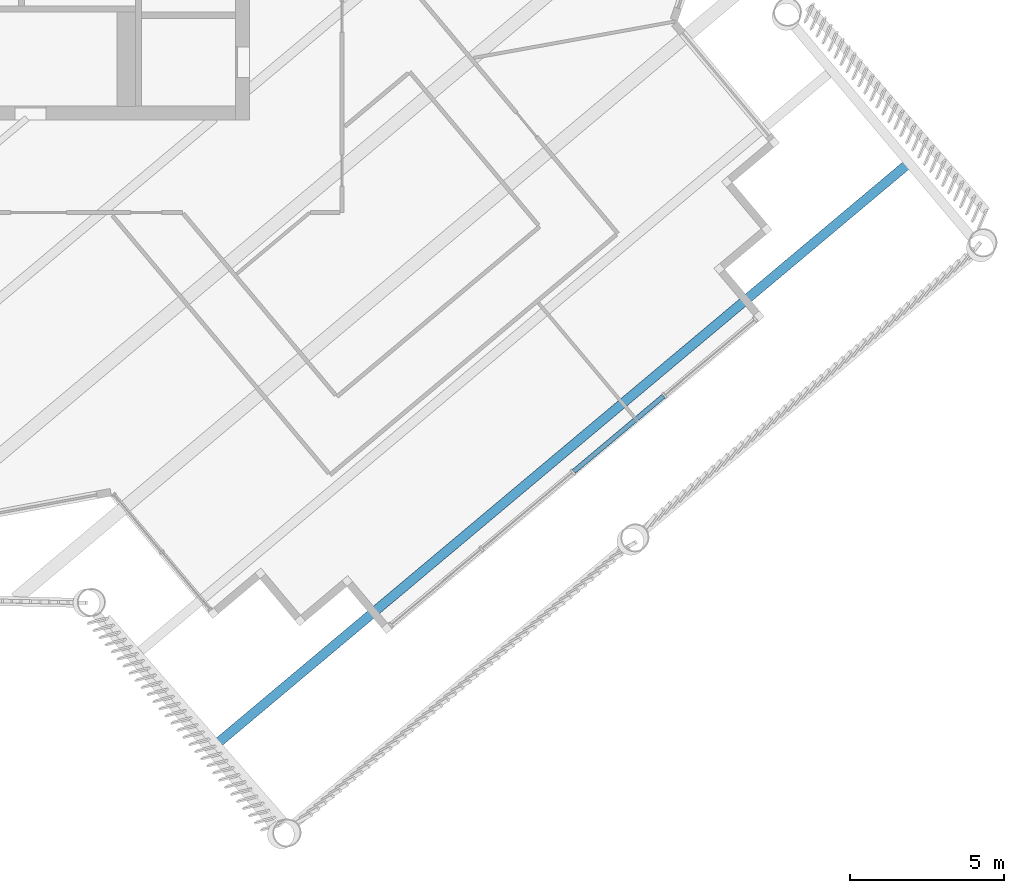
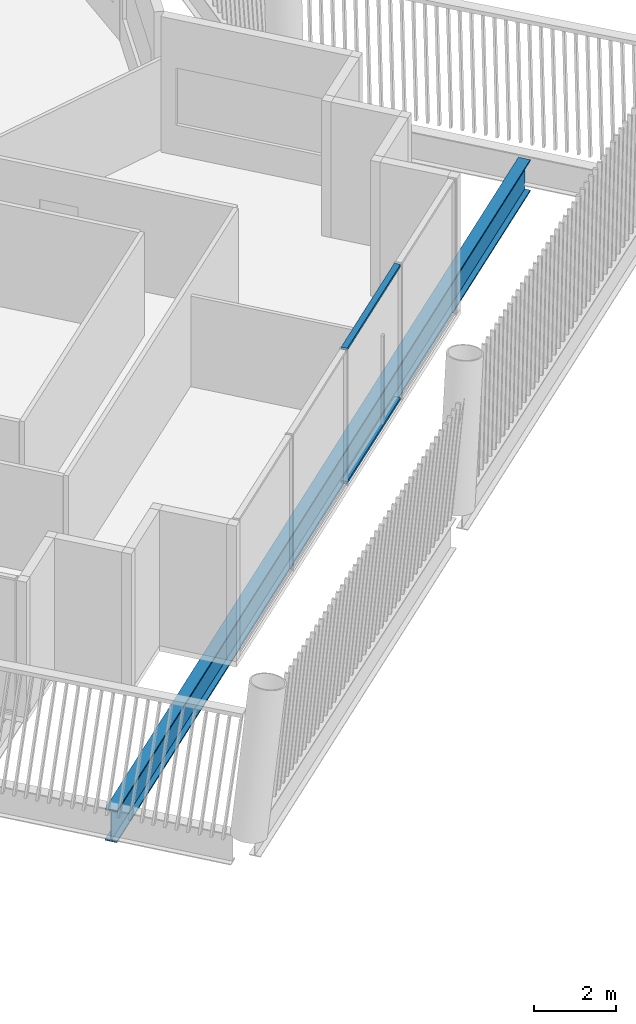
# One storey, part 17 of 31: 2 members, 1 beam, 1 element without a shape of its own.
"""IFC4 building model written with IfcOpenShell, lengths in metres."""

from ifc_helpers import new_model, si_unit, direction, frame, origin, origin_2d, place, context, subcontext, project, spatial, hollow_rectangle, i_section, extrude, material, layer, layer_set, material_profile, profile_set, type_object, element, aggregate, save


model = new_model("IFC4")

# Units and contexts
model_context = context("Model", 3, precision=1e-05, world=origin(), true_north=direction((0.0, 1.0)))
body_context = subcontext(model_context, "Body", "Model", "MODEL_VIEW")
ifc_project = project(units=[si_unit("LENGTHUNIT", "METRE"), si_unit("AREAUNIT", "SQUARE_METRE"), si_unit("VOLUMEUNIT", "CUBIC_METRE"), si_unit("PLANEANGLEUNIT", "RADIAN"), si_unit("MASSUNIT", "GRAM", prefix="KILO")], contexts=[model_context])

# Site, building, storey
site_placement = place(None, origin())
site = spatial("IfcSite", under=ifc_project, at=site_placement, CompositionType="ELEMENT")
building_placement = place(site_placement, origin())
building = spatial("IfcBuilding", under=site, at=building_placement, Name="Tarsis Ring Headquarters", CompositionType="ELEMENT")
storey_placement = place(building_placement, frame((0.0, 0.0, 390.199951171875)))
storey = spatial("IfcBuildingStorey", under=building, at=storey_placement, Name="L92", CompositionType="ELEMENT", Elevation=390.199951171875)

# Curtain wall, members
ifc_material_1 = material(Name="Aluminium curtain wall", Category="aluminium")
ifc_layer = layer(ifc_material_1, 0.199951171875)
ifc_layer_set = layer_set([ifc_layer], Name="Curtain wall executive tip")
curtain_wall_type = type_object("IfcCurtainWallType", Name="Curtain wall executive tip", PredefinedType="NOTDEFINED", material=ifc_layer_set)
curtain_wall_placement = place(storey_placement, origin())
curtain_wall = element("IfcCurtainWall", 1, at=curtain_wall_placement, inside=storey, type_object=curtain_wall_type, Name="Curtain wall L92-11", PredefinedType="NOTDEFINED")
ifc_material_2 = material(Name="Aluminium transom", Category="aluminium")
ifc_material_profile_1 = material_profile(ifc_material_2, hollow_rectangle(XDim=0.159912109375, YDim=0.070068359375, WallThickness=0.0048828125, at=origin_2d()), Name="RHS 160x70x5")
ifc_profile_set_1 = profile_set([ifc_material_profile_1], Name="Aluminium transom")
member_type = type_object("IfcMemberType", Name="Curtain wall transom executive tip RHS 160x70x5", PredefinedType="USERDEFINED", material=ifc_profile_set_1)
member_1_placement = place(storey_placement, frame((20.515625, -24.395263671875, 0.03515625), z_axis=(0.766044774752, 0.642787214462, 0.0), x_axis=(-0.642787214462, 0.766044774752, 0.0)))
member_1 = element("IfcMember", 2, at=member_1_placement, type_object=member_type, Name="CW-E transom 3.1", ObjectType="TRANSOM", PredefinedType="USERDEFINED", context=body_context, shape_type="SweptSolid", body=[
    extrude(hollow_rectangle(XDim=0.159912109375, YDim=0.070068359375, WallThickness=0.0048828125, at=origin_2d()), origin(), (0.0, 0.0, 1.0), 3.804931640625),
])
member_2_placement = place(storey_placement, frame((20.515625, -24.395263671875, 4.005126953125), z_axis=(0.766044774752, 0.642787214462, 0.0), x_axis=(-0.642787214462, 0.766044774752, 0.0)))
member_2 = element("IfcMember", 3, at=member_2_placement, type_object=member_type, Name="CW-E transom 3.2", ObjectType="TRANSOM", PredefinedType="USERDEFINED", context=body_context, shape_type="SweptSolid", body=[
    extrude(hollow_rectangle(XDim=0.159912109375, YDim=0.070068359375, WallThickness=0.0048828125, at=origin_2d()), origin(), (0.0, 0.0, 1.0), 3.804931640625),
])
aggregate(curtain_wall, [member_1, member_2])

# Beam
ifc_material_3 = material(Name="Structural steel S355", Category="steel")
ifc_material_profile_2 = material_profile(ifc_material_3, i_section(OverallWidth=0.309814453125, OverallDepth=0.949951171875, WebThickness=0.0244140625, FlangeThickness=0.0439453125, at=origin_2d()), Name="W36x256")
ifc_profile_set_2 = profile_set([ifc_material_profile_2], Name="Structural steel S355")
beam_type = type_object("IfcBeamType", Name="FB Floor beam W36x256", PredefinedType="JOIST", material=ifc_profile_set_2)
beam_placement = place(storey_placement, frame((8.757568359375, -33.380126953125, -0.635009765625), z_axis=(0.766044413228, 0.642787645309, 0.0), x_axis=(-0.642787645309, 0.766044413228, 0.0)))
element("IfcBeam", 4, at=beam_placement, inside=storey, type_object=beam_type, Name="Floor beam FB11", PredefinedType="JOIST", context=body_context, shape_type="SweptSolid", body=[
    extrude(i_section(OverallWidth=0.309814453125, OverallDepth=0.949951171875, WebThickness=0.0244140625, FlangeThickness=0.0439453125, at=origin_2d()), origin(), (0.0, 0.0, 1.0), 29.495361328125),
])

save(model, "model.ifc")
